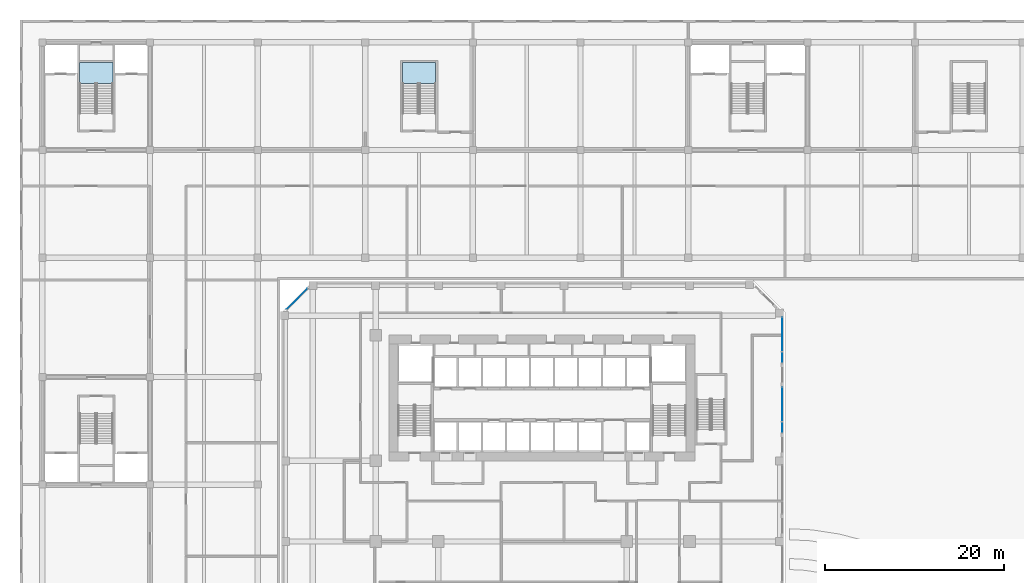
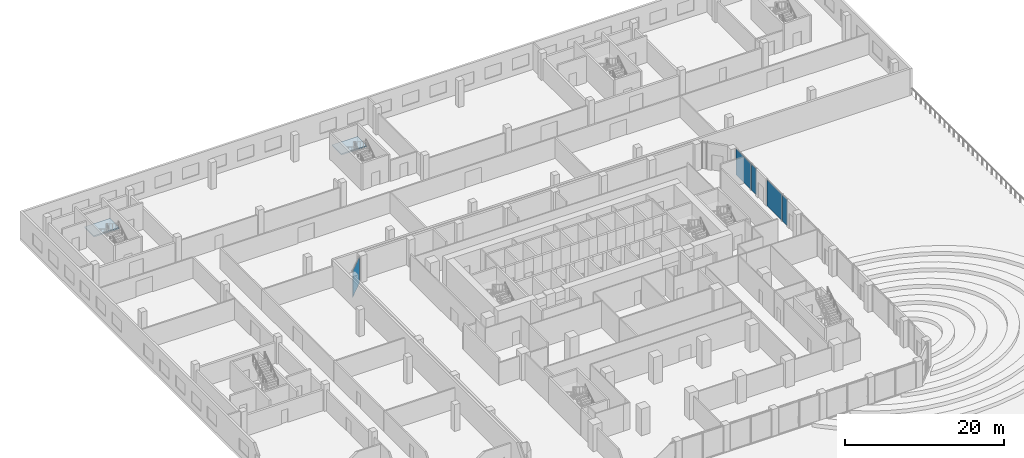
# One storey, part 15 of 38: 5 plates, 2 slabs, 7 elements without a shape of their own.
"""IFC4 building model written with IfcOpenShell, lengths in metres."""

from ifc_helpers import new_model, si_unit, direction, frame, origin, origin_2d, place, context, subcontext, project, spatial, polyline, rectangle, outline, extrude, source, transform, mapped, material, layer, layer_set, type_object, element, aggregate, save


model = new_model("IFC4")

# Units and contexts
model_context = context("Model", 3, precision=1e-05, world=origin(), true_north=direction((0.0, 1.0)))
body_context = subcontext(model_context, "Body", "Model", "MODEL_VIEW")
ifc_project = project(units=[si_unit("LENGTHUNIT", "METRE"), si_unit("AREAUNIT", "SQUARE_METRE"), si_unit("VOLUMEUNIT", "CUBIC_METRE"), si_unit("PLANEANGLEUNIT", "RADIAN"), si_unit("MASSUNIT", "GRAM", prefix="KILO")], contexts=[model_context])

# Site, building, storey
site_placement = place(None, origin())
site = spatial("IfcSite", under=ifc_project, at=site_placement, CompositionType="ELEMENT")
building_placement = place(site_placement, origin())
building = spatial("IfcBuilding", under=site, at=building_placement, Name="Kilnfold Tower and Market Hall", CompositionType="ELEMENT")
storey_placement = place(building_placement, frame((0.0, 0.0, 9.0)))
storey = spatial("IfcBuildingStorey", under=building, at=storey_placement, Name="L01", CompositionType="ELEMENT", Elevation=9.0)

# Curtain wall, plate
ifc_material_1 = material(Name="Aluminium and double glazing", Category="aluminium")
curtain_wall_type = type_object("IfcCurtainWallType", Name="CW BASE PODIUM GLAZING", PredefinedType="NOTDEFINED", material=ifc_material_1)
curtain_wall_1_placement = place(storey_placement, origin())
curtain_wall_1 = element("IfcCurtainWall", 1, at=curtain_wall_1_placement, inside=storey, type_object=curtain_wall_type, Name="Curtain wall CW4 L01 E", PredefinedType="NOTDEFINED")
ifc_material_2 = material(Name="Double glazed unit")
ifc_layer_1 = layer(ifc_material_2, 0.035888671875)
ifc_layer_set_1 = layer_set([ifc_layer_1], Name="Double glazed unit")
plate_type = type_object("IfcPlateType", Name="GLAZING PANEL 36", PredefinedType="CURTAIN_PANEL", material=ifc_layer_set_1)
shared_shape_1 = source(origin(), body_context, "Body", "SweptSolid", [
    extrude(rectangle(XDim=1.159912109375, YDim=0.035888671875, at=origin_2d()), origin(), (0.0, 0.0, 1.0), 4.030029296875),
])
plate_1_placement = place(storey_placement, frame((27.85009765625, 11.699951171875, 0.0), z_axis=(0.0, 0.0, 1.0), x_axis=(0.0, 1.0, 0.0)))
plate_1 = element("IfcPlate", 2, at=plate_1_placement, type_object=plate_type, Name="CW4 panel 1.1", PredefinedType="CURTAIN_PANEL", context=body_context, shape_type="MappedRepresentation", body=[
    mapped(shared_shape_1, transform((0.0, 0.0, 0.0))),
])
aggregate(curtain_wall_1, [plate_1])

curtain_wall_2_placement = place(storey_placement, origin())
curtain_wall_2 = element("IfcCurtainWall", 3, at=curtain_wall_2_placement, inside=storey, type_object=curtain_wall_type, Name="Curtain wall CW4 L01 E", PredefinedType="NOTDEFINED")
plate_2_placement = place(storey_placement, frame((27.85009765625, 19.5, 0.0), z_axis=(0.0, 0.0, 1.0), x_axis=(0.0, 1.0, 0.0)))
plate_2 = element("IfcPlate", 4, at=plate_2_placement, type_object=plate_type, Name="CW4 panel 1.1", PredefinedType="CURTAIN_PANEL", context=body_context, shape_type="MappedRepresentation", body=[
    mapped(shared_shape_1, transform((0.0, 0.0, 0.0))),
])
aggregate(curtain_wall_2, [plate_2])

curtain_wall_3_placement = place(storey_placement, origin())
curtain_wall_3 = element("IfcCurtainWall", 5, at=curtain_wall_3_placement, inside=storey, type_object=curtain_wall_type, Name="Curtain wall CW4 L01 E", PredefinedType="NOTDEFINED")
shared_shape_2 = source(origin(), body_context, "Body", "SweptSolid", [
    extrude(rectangle(XDim=3.760009765625, YDim=0.035888671875, at=origin_2d()), origin(), (0.0, 0.0, 1.0), 4.030029296875),
])
plate_3_placement = place(storey_placement, frame((27.85009765625, 14.300048828125, 0.0), z_axis=(0.0, 0.0, 1.0), x_axis=(0.0, 1.0, 0.0)))
plate_3 = element("IfcPlate", 6, at=plate_3_placement, type_object=plate_type, Name="CW4 panel 1.1", PredefinedType="CURTAIN_PANEL", context=body_context, shape_type="MappedRepresentation", body=[
    mapped(shared_shape_2, transform((0.0, 0.0, 0.0))),
])
aggregate(curtain_wall_3, [plate_3])

curtain_wall_4_placement = place(storey_placement, origin())
curtain_wall_4 = element("IfcCurtainWall", 7, at=curtain_wall_4_placement, inside=storey, type_object=curtain_wall_type, Name="Curtain wall CW4 L01 E", PredefinedType="NOTDEFINED")
plate_4_placement = place(storey_placement, frame((27.85009765625, 22.10009765625, 0.0), z_axis=(0.0, 0.0, 1.0), x_axis=(0.0, 1.0, 0.0)))
plate_4 = element("IfcPlate", 8, at=plate_4_placement, type_object=plate_type, Name="CW4 panel 1.1", PredefinedType="CURTAIN_PANEL", context=body_context, shape_type="MappedRepresentation", body=[
    mapped(shared_shape_2, transform((0.0, 0.0, 0.0))),
])
aggregate(curtain_wall_4, [plate_4])

curtain_wall_5_placement = place(storey_placement, origin())
curtain_wall_5 = element("IfcCurtainWall", 9, at=curtain_wall_5_placement, inside=storey, type_object=curtain_wall_type, Name="Curtain wall CW4 L01 NW", PredefinedType="NOTDEFINED")
shared_shape_3 = source(origin(), body_context, "Body", "SweptSolid", [
    extrude(rectangle(XDim=3.21875, YDim=0.035888671875, at=origin_2d()), origin(), (0.0, 0.0, 1.0), 4.030029296875),
])
plate_5_placement = place(storey_placement, frame((-26.25634765625, 26.031494140625, 0.0), z_axis=(0.0, 0.0, 1.0), x_axis=(-0.707121667181, -0.707091894879, 0.0)))
plate_5 = element("IfcPlate", 10, at=plate_5_placement, type_object=plate_type, Name="CW4 panel 1.1", PredefinedType="CURTAIN_PANEL", context=body_context, shape_type="MappedRepresentation", body=[
    mapped(shared_shape_3, transform((0.0, 0.0, 0.0))),
])
aggregate(curtain_wall_5, [plate_5])

# Stair, slab
ifc_material_3 = material(Name="Concrete C40/50", Category="concrete")
stair_type = type_object("IfcStairType", Name="HALL STAIR", PredefinedType="HALF_TURN_STAIR", material=ifc_material_3)
stair_1_placement = place(storey_placement, origin())
stair_1 = element("IfcStair", 11, at=stair_1_placement, inside=storey, type_object=stair_type, Name="L01 MS3", PredefinedType="HALF_TURN_STAIR")
ifc_material_4 = material(Name="Concrete C40/50", Category="concrete")
ifc_layer_2 = layer(ifc_material_4, 0.199951171875)
ifc_layer_set_2 = layer_set([ifc_layer_2], Name="Concrete C40/50")
slab_type = type_object("IfcSlabType", Name="HALL STAIR LANDING", PredefinedType="LANDING", material=ifc_layer_set_2)
shared_shape_4 = source(origin(), body_context, "Body", "SweptSolid", [
    extrude(outline(polyline([(-46.800048828125, 50.06005859375), (-46.800048828125, 52.39990234375), (-50.5, 52.39990234375), (-50.5, 50.06005859375), (-46.800048828125, 50.06005859375)])), origin(), (0.0, 0.0, 1.0), 0.199951171875),
])
slab_1_placement = place(storey_placement, frame((0.0, 0.0, 2.050048828125)))
slab_1 = element("IfcSlab", 12, at=slab_1_placement, type_object=slab_type, Name="MS3 landing 1", PredefinedType="LANDING", context=body_context, shape_type="MappedRepresentation", body=[
    mapped(shared_shape_4, transform((0.0, 0.0, 0.0))),
])
aggregate(stair_1, [slab_1])

stair_2_placement = place(storey_placement, origin())
stair_2 = element("IfcStair", 13, at=stair_2_placement, inside=storey, type_object=stair_type, Name="L01 MS4", PredefinedType="HALF_TURN_STAIR")
shared_shape_5 = source(origin(), body_context, "Body", "SweptSolid", [
    extrude(outline(polyline([(-10.800048828125, 50.06005859375), (-10.800048828125, 52.39990234375), (-14.5, 52.39990234375), (-14.5, 50.06005859375), (-10.800048828125, 50.06005859375)])), origin(), (0.0, 0.0, 1.0), 0.199951171875),
])
slab_2_placement = place(storey_placement, frame((0.0, 0.0, 2.050048828125)))
slab_2 = element("IfcSlab", 14, at=slab_2_placement, type_object=slab_type, Name="MS4 landing 1", PredefinedType="LANDING", context=body_context, shape_type="MappedRepresentation", body=[
    mapped(shared_shape_5, transform((0.0, 0.0, 0.0))),
])
aggregate(stair_2, [slab_2])

save(model, "model.ifc")
